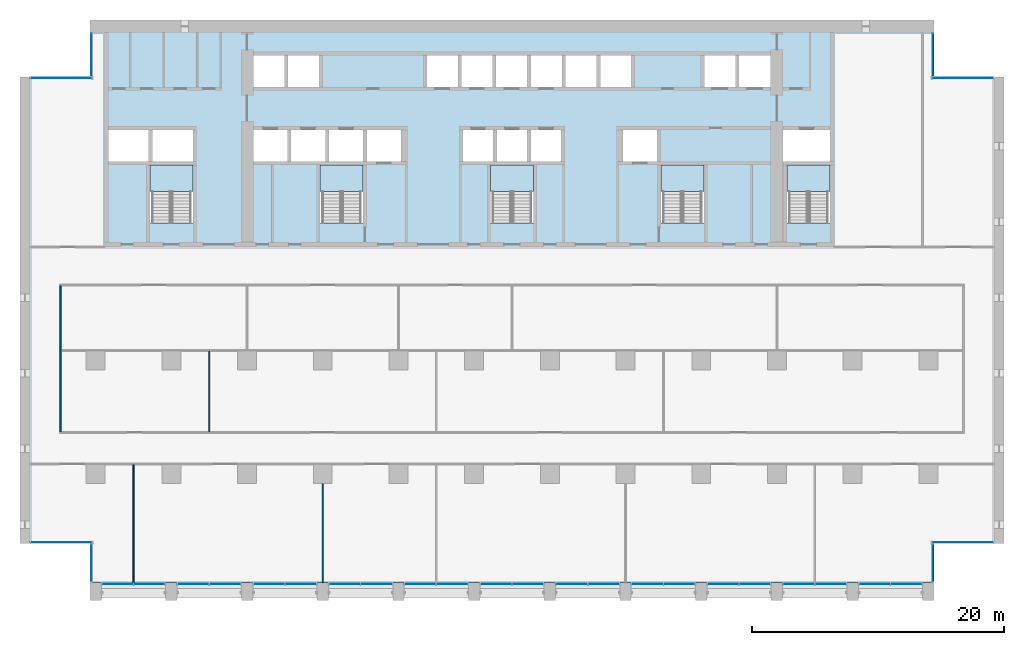
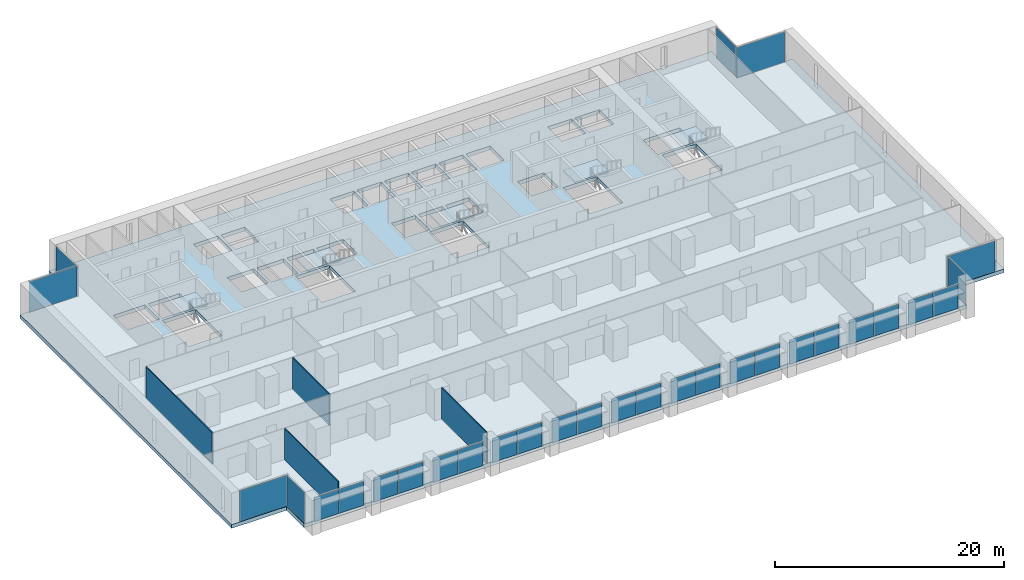
# One storey, part 7 of 18: 30 plates, 6 slabs, 4 walls, 24 elements without a shape of their own.
"""IFC4 building model written with IfcOpenShell, lengths in metres."""

import ifcopenshell
import ifcopenshell.guid

model = None  # the IFC model being written
_history = None  # IfcOwnerHistory: only IFC2X3 demands one
_inside = {}  # id of a spatial element -> (the spatial element, [elements in it])
_under = {}  # id of a project, library or spatial element -> (it, [spatial elements below it])
_declared = {}  # id of a project -> (the project, [libraries it declares])
_typed = {}  # id of a type object -> (the type object, [elements of that type])
_made_of = {}  # id of a material, layer set ... -> (it, [elements and type objects made of it])


def new_model(schema):
    """Start an empty IFC model of exactly this schema.

    Asked for "IFC4X3", IfcOpenShell would pick the latest addendum, in which some entities
    have other attributes; the version numbers below select the first issue.
    IFC2X3 requires an IfcOwnerHistory on every rooted entity: one is made here for all.
    """
    global model, _history
    if schema == "IFC4X3":
        model = ifcopenshell.file(schema_version=(4, 3, 0, 0))
    else:
        model = ifcopenshell.file(schema=schema)
    _inside.clear()
    _under.clear()
    _declared.clear()
    _typed.clear()
    _made_of.clear()
    _history = None
    if model.schema == "IFC2X3":
        org = make("IfcOrganization", Name="unknown")
        user = make(
            "IfcPersonAndOrganization",
            ThePerson=make("IfcPerson", FamilyName="unknown"),
            TheOrganization=org,
        )
        app = make(
            "IfcApplication",
            ApplicationDeveloper=org,
            Version="unknown",
            ApplicationFullName="unknown",
            ApplicationIdentifier="unknown",
        )
        _history = make(
            "IfcOwnerHistory",
            OwningUser=user,
            OwningApplication=app,
            ChangeAction="ADDED",
            CreationDate=0,
        )
    return model


def make(cls, **values):
    """One entity of the class cls with the attributes given. An attribute that is None is left unset."""
    return model.create_entity(
        cls, **{name: value for name, value in values.items() if value is not None}
    )


def rooted(cls, **values):
    """An entity with a GlobalId (a new one), such as an element, a storey or a relation."""
    return make(cls, GlobalId=ifcopenshell.guid.new(), OwnerHistory=_history, **values)


def si_unit(unit_type, name, prefix=None):
    """IfcSIUnit, for example si_unit("LENGTHUNIT", "METRE", prefix="MILLI")."""
    return make("IfcSIUnit", UnitType=unit_type, Prefix=prefix, Name=name)


def assignment(units):
    """IfcUnitAssignment: the units of a project."""
    return None if units is None else make("IfcUnitAssignment", Units=units)


def point(xyz):
    """IfcCartesianPoint."""
    return None if xyz is None else make("IfcCartesianPoint", Coordinates=xyz)


def direction(xyz):
    """IfcDirection."""
    return None if xyz is None else make("IfcDirection", DirectionRatios=xyz)


def frame(location, z_axis=None, x_axis=None):
    """IfcAxis2Placement3D, a coordinate frame: its origin and axes. An axis left out is left unset."""
    return make(
        "IfcAxis2Placement3D",
        Location=point(location),
        Axis=direction(z_axis),
        RefDirection=direction(x_axis),
    )


def frame_2d(location, x_axis=None):
    """IfcAxis2Placement2D, a coordinate frame in the plane: its origin and x axis."""
    return make(
        "IfcAxis2Placement2D", Location=point(location), RefDirection=direction(x_axis)
    )


def origin():
    """The frame at (0, 0, 0) with its axes left unset."""
    return frame((0.0, 0.0, 0.0))


def origin_2d():
    """The frame at (0, 0) in the plane with its x axis left unset."""
    return frame_2d((0.0, 0.0))


def place(relative_to, where):
    """IfcLocalPlacement: puts the frame where relative to a parent placement (None: the world)."""
    return make(
        "IfcLocalPlacement", PlacementRelTo=relative_to, RelativePlacement=where
    )


def context(
    kind, dimensions, precision=None, world=None, true_north=None, identifier=None
):
    """IfcGeometricRepresentationContext, for example the 3D "Model" context."""
    return make(
        "IfcGeometricRepresentationContext",
        ContextIdentifier=identifier,
        ContextType=kind,
        CoordinateSpaceDimension=dimensions,
        Precision=precision,
        WorldCoordinateSystem=world,
        TrueNorth=true_north,
    )


def subcontext(parent, identifier, kind, view, scale=None):
    """IfcGeometricRepresentationSubContext, for example "Body" below "Model"."""
    return make(
        "IfcGeometricRepresentationSubContext",
        ContextIdentifier=identifier,
        ContextType=kind,
        ParentContext=parent,
        TargetScale=scale,
        TargetView=view,
    )


def project(units=None, contexts=None):
    """IfcProject with its units and contexts."""
    return rooted(
        "IfcProject",
        Name="project",
        RepresentationContexts=contexts,
        UnitsInContext=assignment(units),
    )


def spatial(cls, under=None, at=None, **own):
    """A site, building, storey or space (cls), placed at a placement, below another one or the project."""
    s = rooted(cls, ObjectPlacement=at, **own)
    if under is not None:
        _under.setdefault(under.id(), (under, []))[1].append(s)
    return s


def polyline(points):
    """IfcPolyline through the points."""
    return make("IfcPolyline", Points=[point(p) for p in points])


def profile(cls, at=None, kind="AREA", **sizes):
    """A parametric profile (cls). Its sizes go by their IFC names, for example OverallWidth=200.0."""
    return make(cls, ProfileType=kind, Position=at, **sizes)


def rectangle(**sizes):
    """IfcRectangleProfileDef."""
    return profile("IfcRectangleProfileDef", **sizes)


def outline(outer, holes=None, kind="AREA"):
    """IfcArbitraryClosedProfileDef: a profile drawn as a closed curve; with holes, ...WithVoids."""
    if holes is None:
        return make("IfcArbitraryClosedProfileDef", ProfileType=kind, OuterCurve=outer)
    return make(
        "IfcArbitraryProfileDefWithVoids",
        ProfileType=kind,
        OuterCurve=outer,
        InnerCurves=holes,
    )


def extrude(swept, where, along, depth):
    """IfcExtrudedAreaSolid: the profile swept, set in the frame where, extruded along a direction by depth."""
    return make(
        "IfcExtrudedAreaSolid",
        SweptArea=swept,
        Position=where,
        ExtrudedDirection=direction(along),
        Depth=depth,
    )


def shape(context_of_items, identifier, shape_type, items):
    """IfcShapeRepresentation: the items that make up one representation, for example the "Body"."""
    return make(
        "IfcShapeRepresentation",
        ContextOfItems=context_of_items,
        RepresentationIdentifier=identifier,
        RepresentationType=shape_type,
        Items=items,
    )


def material(Name=None, Category=None):
    """IfcMaterial."""
    return make("IfcMaterial", Name=Name, Category=Category)


def layer(
    of_material, thickness, ventilated=None, Name=None, Category=None, Priority=None
):
    """IfcMaterialLayer: one layer of a wall or slab, of a material (None: an air gap)."""
    return make(
        "IfcMaterialLayer",
        Material=of_material,
        LayerThickness=thickness,
        IsVentilated=ventilated,
        Name=Name,
        Category=Category,
        Priority=Priority,
    )


def layer_set(layers, Name=None):
    """IfcMaterialLayerSet."""
    return make("IfcMaterialLayerSet", MaterialLayers=layers, LayerSetName=Name)


def made_of(thing, what):
    """Note that an element or type object is made of a material, layer set ...; save() writes the relation."""
    if what is not None:
        _made_of.setdefault(what.id(), (what, []))[1].append(thing)
    return thing


def type_object(cls, material=None, **own):
    """A type object (cls), such as IfcWallType, which elements share."""
    return made_of(rooted(cls, **own), material)


def element(
    cls,
    number,
    at=None,
    inside=None,
    cuts=None,
    type_object=None,
    material=None,
    context=None,
    identifier="Body",
    shape_type=None,
    held_by="IfcProductDefinitionShape",
    body=None,
    shapes=None,
    **own,
):
    """One element of the class cls, such as IfcWall. Its Tag is "e" and its number.

    at: its placement. inside: the storey or other place that contains it. cuts: it is an
    opening in that element (IfcRelVoidsElement). A single representation is given by context,
    identifier, shape_type and body (its items); several are given by shapes. held_by: the class
    of the entity that holds the representations. save() writes the other relations.
    """
    e = rooted(cls, Tag="e%d" % number, ObjectPlacement=at, **own)
    if body is not None:
        shapes = [shape(context, identifier, shape_type, body)]
    if shapes is not None:
        e.Representation = make(held_by, Representations=shapes)
    if inside is not None:
        _inside.setdefault(inside.id(), (inside, []))[1].append(e)
    if cuts is not None:
        rooted(
            "IfcRelVoidsElement", RelatingBuildingElement=cuts, RelatedOpeningElement=e
        )
    if type_object is not None:
        _typed.setdefault(type_object.id(), (type_object, []))[1].append(e)
    return made_of(e, material)


def aggregate(whole, parts):
    """IfcRelAggregates: a whole, such as a stair, and the parts it consists of."""
    return rooted("IfcRelAggregates", RelatingObject=whole, RelatedObjects=parts)


def save(model, path):
    """Write the relations noted so far, then the file.

    IfcRelAggregates (storeys below a building ...), IfcRelContainedInSpatialStructure (elements
    in a storey), IfcRelDefinesByType, IfcRelAssociatesMaterial and IfcRelDeclares: one each for
    every whole, place, type object, material and project.
    """
    for whole, parts in _under.values():
        aggregate(whole, parts)
    for where, things in _inside.values():
        rooted(
            "IfcRelContainedInSpatialStructure",
            RelatedElements=things,
            RelatingStructure=where,
        )
    for kind, things in _typed.values():
        rooted("IfcRelDefinesByType", RelatedObjects=things, RelatingType=kind)
    for what, things in _made_of.values():
        rooted("IfcRelAssociatesMaterial", RelatedObjects=things, RelatingMaterial=what)
    for by, libraries in _declared.values():
        rooted("IfcRelDeclares", RelatingContext=by, RelatedDefinitions=libraries)
    model.write(path)


model = new_model("IFC4")

# Units and contexts
model_context = context("Model", 3, precision=1e-05, world=origin(), true_north=direction((0.0, 1.0)))
body_context = subcontext(model_context, "Body", "Model", "MODEL_VIEW")
ifc_project = project(units=[si_unit("LENGTHUNIT", "METRE"), si_unit("AREAUNIT", "SQUARE_METRE"), si_unit("VOLUMEUNIT", "CUBIC_METRE"), si_unit("PLANEANGLEUNIT", "RADIAN"), si_unit("MASSUNIT", "GRAM", prefix="KILO")], contexts=[model_context])

# Site, building, storey
site_placement = place(None, origin())
site = spatial("IfcSite", under=ifc_project, at=site_placement, CompositionType="ELEMENT")
building_placement = place(site_placement, origin())
building = spatial("IfcBuilding", under=site, at=building_placement, Name="Calvaro Tower", CompositionType="ELEMENT")
storey_placement = place(building_placement, frame((0.0, 0.0, 78.75)))
storey = spatial("IfcBuildingStorey", under=building, at=storey_placement, Name="L19", CompositionType="ELEMENT", Elevation=78.75)

# Slab
ifc_material_1 = material(Name="Concrete C40/50", Category="concrete")
ifc_layer_1 = layer(ifc_material_1, 0.39990234375)
ifc_layer_set_1 = layer_set([ifc_layer_1], Name="Concrete C40/50")
slab_type_1 = type_object("IfcSlabType", Name="Floor slab 400 C40/50", PredefinedType="FLOOR", material=ifc_layer_set_1)
slab_1_placement = place(storey_placement, frame((0.0, 0.0, -0.39990234375)))
element("IfcSlab", 1, at=slab_1_placement, inside=storey, type_object=slab_type_1, Name="Floor slab", PredefinedType="FLOOR", context=body_context, shape_type="SweptSolid", body=[
    extrude(outline(polyline([(72.449951171875, 4.5), (72.449951171875, 1.39990234375), (5.550048828125, 1.39990234375), (5.550048828125, 4.5), (0.0, 4.5), (0.0, 41.5), (5.550048828125, 41.5), (5.550048828125, 46.0), (72.449951171875, 46.0), (72.449951171875, 41.5), (78.0, 41.5), (78.0, 4.5), (72.449951171875, 4.5)]), holes=[polyline([(10.300048828125, 29.909912109375), (10.300048828125, 34.5), (12.0, 34.5), (13.699951171875, 34.5), (13.699951171875, 29.909912109375), (12.0, 29.909912109375), (10.300048828125, 29.909912109375)]), polyline([(23.800048828125, 29.909912109375), (23.800048828125, 34.5), (25.5, 34.5), (27.199951171875, 34.5), (27.199951171875, 29.909912109375), (25.5, 29.909912109375), (23.800048828125, 29.909912109375)]), polyline([(37.300048828125, 29.909912109375), (37.300048828125, 34.5), (39.0, 34.5), (40.699951171875, 34.5), (40.699951171875, 29.909912109375), (39.0, 29.909912109375), (37.300048828125, 29.909912109375)]), polyline([(50.800048828125, 29.909912109375), (50.800048828125, 34.5), (52.5, 34.5), (54.199951171875, 34.5), (54.199951171875, 29.909912109375), (52.5, 29.909912109375), (50.800048828125, 29.909912109375)]), polyline([(60.800048828125, 29.909912109375), (60.800048828125, 34.5), (62.5, 34.5), (64.199951171875, 34.5), (64.199951171875, 29.909912109375), (62.5, 29.909912109375), (60.800048828125, 29.909912109375)]), polyline([(18.5, 34.800048828125), (21.199951171875, 34.800048828125), (21.199951171875, 37.300048828125), (18.5, 37.300048828125), (18.5, 34.800048828125)]), polyline([(21.5, 34.800048828125), (24.199951171875, 34.800048828125), (24.199951171875, 37.300048828125), (21.5, 37.300048828125), (21.5, 34.800048828125)]), polyline([(24.5, 34.800048828125), (27.199951171875, 34.800048828125), (27.199951171875, 37.300048828125), (24.5, 37.300048828125), (24.5, 34.800048828125)]), polyline([(35.10009765625, 34.800048828125), (37.5, 34.800048828125), (37.5, 37.300048828125), (35.10009765625, 37.300048828125), (35.10009765625, 34.800048828125)]), polyline([(37.800048828125, 34.800048828125), (40.199951171875, 34.800048828125), (40.199951171875, 37.300048828125), (37.800048828125, 37.300048828125), (37.800048828125, 34.800048828125)]), polyline([(40.5, 34.800048828125), (42.89990234375, 34.800048828125), (42.89990234375, 37.300048828125), (40.5, 37.300048828125), (40.5, 34.800048828125)]), polyline([(18.5, 40.699951171875), (20.949951171875, 40.699951171875), (20.949951171875, 43.199951171875), (18.5, 43.199951171875), (18.5, 40.699951171875)]), polyline([(21.25, 40.699951171875), (23.699951171875, 40.699951171875), (23.699951171875, 43.199951171875), (21.25, 43.199951171875), (21.25, 40.699951171875)]), polyline([(32.25, 40.699951171875), (34.699951171875, 40.699951171875), (34.699951171875, 43.199951171875), (32.25, 43.199951171875), (32.25, 40.699951171875)]), polyline([(35.0, 40.699951171875), (37.449951171875, 40.699951171875), (37.449951171875, 43.199951171875), (35.0, 43.199951171875), (35.0, 40.699951171875)]), polyline([(37.75, 40.699951171875), (40.199951171875, 40.699951171875), (40.199951171875, 43.199951171875), (37.75, 43.199951171875), (37.75, 40.699951171875)]), polyline([(40.5, 40.699951171875), (42.949951171875, 40.699951171875), (42.949951171875, 43.199951171875), (40.5, 43.199951171875), (40.5, 40.699951171875)]), polyline([(43.25, 40.699951171875), (45.699951171875, 40.699951171875), (45.699951171875, 43.199951171875), (43.25, 43.199951171875), (43.25, 40.699951171875)]), polyline([(46.0, 40.699951171875), (48.449951171875, 40.699951171875), (48.449951171875, 43.199951171875), (46.0, 43.199951171875), (46.0, 40.699951171875)]), polyline([(54.25, 40.699951171875), (56.699951171875, 40.699951171875), (56.699951171875, 43.199951171875), (54.25, 43.199951171875), (54.25, 40.699951171875)]), polyline([(57.0, 40.699951171875), (59.5, 40.699951171875), (59.5, 43.199951171875), (57.0, 43.199951171875), (57.0, 40.699951171875)]), polyline([(7.0, 34.800048828125), (10.199951171875, 34.800048828125), (10.199951171875, 37.300048828125), (7.0, 37.300048828125), (7.0, 34.800048828125)]), polyline([(10.5, 34.800048828125), (13.699951171875, 34.800048828125), (13.699951171875, 37.300048828125), (10.5, 37.300048828125), (10.5, 34.800048828125)]), polyline([(60.5, 34.800048828125), (64.199951171875, 34.800048828125), (64.199951171875, 37.300048828125), (60.5, 37.300048828125), (60.5, 34.800048828125)]), polyline([(27.5, 34.800048828125), (30.199951171875, 34.800048828125), (30.199951171875, 37.300048828125), (27.5, 37.300048828125), (27.5, 34.800048828125)]), polyline([(47.800048828125, 34.800048828125), (50.5, 34.800048828125), (50.5, 37.300048828125), (47.800048828125, 37.300048828125), (47.800048828125, 34.800048828125)])]), origin(), (0.0, 0.0, 1.0), 0.39990234375),
])

# Curtain wall, plates
ifc_material_2 = material(Name="Anodised aluminium", Category="aluminium")
curtain_wall_type = type_object("IfcCurtainWallType", Name="Office curtain wall, lower zone", PredefinedType="NOTDEFINED", material=ifc_material_2)
curtain_wall_1_placement = place(storey_placement, origin())
curtain_wall_1 = element("IfcCurtainWall", 2, at=curtain_wall_1_placement, inside=storey, type_object=curtain_wall_type, Name="CW1 south curtain wall", PredefinedType="NOTDEFINED")
ifc_material_3 = material(Name="Glass", Category="glass")
ifc_layer_2 = layer(ifc_material_3, 0.028076171875)
ifc_layer_set_2 = layer_set([ifc_layer_2], Name="Glass")
plate_type = type_object("IfcPlateType", Name="Glass panel S1 28", PredefinedType="CURTAIN_PANEL", material=ifc_layer_set_2)
plate_1_placement = place(storey_placement, frame((7.739990234375, 1.300048828125, 0.0), z_axis=(0.0, 0.0, 1.0), x_axis=(1.0, 0.0, 0.0)))
plate_1 = element("IfcPlate", 3, at=plate_1_placement, type_object=plate_type, Name="CW1 glass panel 1.1", PredefinedType="CURTAIN_PANEL", context=body_context, shape_type="SweptSolid", body=[
    extrude(rectangle(XDim=2.4599609375, YDim=0.028076171875, at=origin_2d()), origin(), (0.0, 0.0, 1.0), 2.550048828125),
])
plate_2_placement = place(storey_placement, frame((10.260009765625, 1.300048828125, 0.0), z_axis=(0.0, 0.0, 1.0), x_axis=(1.0, 0.0, 0.0)))
plate_2 = element("IfcPlate", 4, at=plate_2_placement, type_object=plate_type, Name="CW1 glass panel 2.1", PredefinedType="CURTAIN_PANEL", context=body_context, shape_type="SweptSolid", body=[
    extrude(rectangle(XDim=2.4599609375, YDim=0.028076171875, at=origin_2d()), origin(), (0.0, 0.0, 1.0), 2.550048828125),
])
aggregate(curtain_wall_1, [plate_1, plate_2])

curtain_wall_2_placement = place(storey_placement, origin())
curtain_wall_2 = element("IfcCurtainWall", 5, at=curtain_wall_2_placement, inside=storey, type_object=curtain_wall_type, Name="CW1 south curtain wall", PredefinedType="NOTDEFINED")
plate_3_placement = place(storey_placement, frame((13.739990234375, 1.300048828125, 0.0), z_axis=(0.0, 0.0, 1.0), x_axis=(1.0, 0.0, 0.0)))
plate_3 = element("IfcPlate", 6, at=plate_3_placement, type_object=plate_type, Name="CW1 glass panel 1.1", PredefinedType="CURTAIN_PANEL", context=body_context, shape_type="SweptSolid", body=[
    extrude(rectangle(XDim=2.4599609375, YDim=0.028076171875, at=origin_2d()), origin(), (0.0, 0.0, 1.0), 2.550048828125),
])
plate_4_placement = place(storey_placement, frame((16.260009765625, 1.300048828125, 0.0), z_axis=(0.0, 0.0, 1.0), x_axis=(1.0, 0.0, 0.0)))
plate_4 = element("IfcPlate", 7, at=plate_4_placement, type_object=plate_type, Name="CW1 glass panel 2.1", PredefinedType="CURTAIN_PANEL", context=body_context, shape_type="SweptSolid", body=[
    extrude(rectangle(XDim=2.4599609375, YDim=0.028076171875, at=origin_2d()), origin(), (0.0, 0.0, 1.0), 2.550048828125),
])
aggregate(curtain_wall_2, [plate_3, plate_4])

curtain_wall_3_placement = place(storey_placement, origin())
curtain_wall_3 = element("IfcCurtainWall", 8, at=curtain_wall_3_placement, inside=storey, type_object=curtain_wall_type, Name="CW1 south curtain wall", PredefinedType="NOTDEFINED")
plate_5_placement = place(storey_placement, frame((19.739990234375, 1.300048828125, 0.0), z_axis=(0.0, 0.0, 1.0), x_axis=(1.0, 0.0, 0.0)))
plate_5 = element("IfcPlate", 9, at=plate_5_placement, type_object=plate_type, Name="CW1 glass panel 1.1", PredefinedType="CURTAIN_PANEL", context=body_context, shape_type="SweptSolid", body=[
    extrude(rectangle(XDim=2.4599609375, YDim=0.028076171875, at=origin_2d()), origin(), (0.0, 0.0, 1.0), 2.550048828125),
])
plate_6_placement = place(storey_placement, frame((22.260009765625, 1.300048828125, 0.0), z_axis=(0.0, 0.0, 1.0), x_axis=(1.0, 0.0, 0.0)))
plate_6 = element("IfcPlate", 10, at=plate_6_placement, type_object=plate_type, Name="CW1 glass panel 2.1", PredefinedType="CURTAIN_PANEL", context=body_context, shape_type="SweptSolid", body=[
    extrude(rectangle(XDim=2.4599609375, YDim=0.028076171875, at=origin_2d()), origin(), (0.0, 0.0, 1.0), 2.550048828125),
])
aggregate(curtain_wall_3, [plate_5, plate_6])

curtain_wall_4_placement = place(storey_placement, origin())
curtain_wall_4 = element("IfcCurtainWall", 11, at=curtain_wall_4_placement, inside=storey, type_object=curtain_wall_type, Name="CW1 south curtain wall", PredefinedType="NOTDEFINED")
plate_7_placement = place(storey_placement, frame((25.739990234375, 1.300048828125, 0.0), z_axis=(0.0, 0.0, 1.0), x_axis=(1.0, 0.0, 0.0)))
plate_7 = element("IfcPlate", 12, at=plate_7_placement, type_object=plate_type, Name="CW1 glass panel 1.1", PredefinedType="CURTAIN_PANEL", context=body_context, shape_type="SweptSolid", body=[
    extrude(rectangle(XDim=2.4599609375, YDim=0.028076171875, at=origin_2d()), origin(), (0.0, 0.0, 1.0), 2.550048828125),
])
plate_8_placement = place(storey_placement, frame((28.260009765625, 1.300048828125, 0.0), z_axis=(0.0, 0.0, 1.0), x_axis=(1.0, 0.0, 0.0)))
plate_8 = element("IfcPlate", 13, at=plate_8_placement, type_object=plate_type, Name="CW1 glass panel 2.1", PredefinedType="CURTAIN_PANEL", context=body_context, shape_type="SweptSolid", body=[
    extrude(rectangle(XDim=2.4599609375, YDim=0.028076171875, at=origin_2d()), origin(), (0.0, 0.0, 1.0), 2.550048828125),
])
aggregate(curtain_wall_4, [plate_7, plate_8])

curtain_wall_5_placement = place(storey_placement, origin())
curtain_wall_5 = element("IfcCurtainWall", 14, at=curtain_wall_5_placement, inside=storey, type_object=curtain_wall_type, Name="CW1 south curtain wall", PredefinedType="NOTDEFINED")
plate_9_placement = place(storey_placement, frame((31.739990234375, 1.300048828125, 0.0), z_axis=(0.0, 0.0, 1.0), x_axis=(1.0, 0.0, 0.0)))
plate_9 = element("IfcPlate", 15, at=plate_9_placement, type_object=plate_type, Name="CW1 glass panel 1.1", PredefinedType="CURTAIN_PANEL", context=body_context, shape_type="SweptSolid", body=[
    extrude(rectangle(XDim=2.4599609375, YDim=0.028076171875, at=origin_2d()), origin(), (0.0, 0.0, 1.0), 2.550048828125),
])
plate_10_placement = place(storey_placement, frame((34.260009765625, 1.300048828125, 0.0), z_axis=(0.0, 0.0, 1.0), x_axis=(1.0, 0.0, 0.0)))
plate_10 = element("IfcPlate", 16, at=plate_10_placement, type_object=plate_type, Name="CW1 glass panel 2.1", PredefinedType="CURTAIN_PANEL", context=body_context, shape_type="SweptSolid", body=[
    extrude(rectangle(XDim=2.4599609375, YDim=0.028076171875, at=origin_2d()), origin(), (0.0, 0.0, 1.0), 2.550048828125),
])
aggregate(curtain_wall_5, [plate_9, plate_10])

curtain_wall_6_placement = place(storey_placement, origin())
curtain_wall_6 = element("IfcCurtainWall", 17, at=curtain_wall_6_placement, inside=storey, type_object=curtain_wall_type, Name="CW1 south curtain wall", PredefinedType="NOTDEFINED")
plate_11_placement = place(storey_placement, frame((37.739990234375, 1.300048828125, 0.0), z_axis=(0.0, 0.0, 1.0), x_axis=(1.0, 0.0, 0.0)))
plate_11 = element("IfcPlate", 18, at=plate_11_placement, type_object=plate_type, Name="CW1 glass panel 1.1", PredefinedType="CURTAIN_PANEL", context=body_context, shape_type="SweptSolid", body=[
    extrude(rectangle(XDim=2.4599609375, YDim=0.028076171875, at=origin_2d()), origin(), (0.0, 0.0, 1.0), 2.550048828125),
])
plate_12_placement = place(storey_placement, frame((40.260009765625, 1.300048828125, 0.0), z_axis=(0.0, 0.0, 1.0), x_axis=(1.0, 0.0, 0.0)))
plate_12 = element("IfcPlate", 19, at=plate_12_placement, type_object=plate_type, Name="CW1 glass panel 2.1", PredefinedType="CURTAIN_PANEL", context=body_context, shape_type="SweptSolid", body=[
    extrude(rectangle(XDim=2.4599609375, YDim=0.028076171875, at=origin_2d()), origin(), (0.0, 0.0, 1.0), 2.550048828125),
])
aggregate(curtain_wall_6, [plate_11, plate_12])

curtain_wall_7_placement = place(storey_placement, origin())
curtain_wall_7 = element("IfcCurtainWall", 20, at=curtain_wall_7_placement, inside=storey, type_object=curtain_wall_type, Name="CW1 south curtain wall", PredefinedType="NOTDEFINED")
plate_13_placement = place(storey_placement, frame((43.739990234375, 1.300048828125, 0.0), z_axis=(0.0, 0.0, 1.0), x_axis=(1.0, 0.0, 0.0)))
plate_13 = element("IfcPlate", 21, at=plate_13_placement, type_object=plate_type, Name="CW1 glass panel 1.1", PredefinedType="CURTAIN_PANEL", context=body_context, shape_type="SweptSolid", body=[
    extrude(rectangle(XDim=2.4599609375, YDim=0.028076171875, at=origin_2d()), origin(), (0.0, 0.0, 1.0), 2.550048828125),
])
plate_14_placement = place(storey_placement, frame((46.260009765625, 1.300048828125, 0.0), z_axis=(0.0, 0.0, 1.0), x_axis=(1.0, 0.0, 0.0)))
plate_14 = element("IfcPlate", 22, at=plate_14_placement, type_object=plate_type, Name="CW1 glass panel 2.1", PredefinedType="CURTAIN_PANEL", context=body_context, shape_type="SweptSolid", body=[
    extrude(rectangle(XDim=2.4599609375, YDim=0.028076171875, at=origin_2d()), origin(), (0.0, 0.0, 1.0), 2.550048828125),
])
aggregate(curtain_wall_7, [plate_13, plate_14])

curtain_wall_8_placement = place(storey_placement, origin())
curtain_wall_8 = element("IfcCurtainWall", 23, at=curtain_wall_8_placement, inside=storey, type_object=curtain_wall_type, Name="CW1 south curtain wall", PredefinedType="NOTDEFINED")
plate_15_placement = place(storey_placement, frame((49.739990234375, 1.300048828125, 0.0), z_axis=(0.0, 0.0, 1.0), x_axis=(1.0, 0.0, 0.0)))
plate_15 = element("IfcPlate", 24, at=plate_15_placement, type_object=plate_type, Name="CW1 glass panel 1.1", PredefinedType="CURTAIN_PANEL", context=body_context, shape_type="SweptSolid", body=[
    extrude(rectangle(XDim=2.4599609375, YDim=0.028076171875, at=origin_2d()), origin(), (0.0, 0.0, 1.0), 2.550048828125),
])
plate_16_placement = place(storey_placement, frame((52.260009765625, 1.300048828125, 0.0), z_axis=(0.0, 0.0, 1.0), x_axis=(1.0, 0.0, 0.0)))
plate_16 = element("IfcPlate", 25, at=plate_16_placement, type_object=plate_type, Name="CW1 glass panel 2.1", PredefinedType="CURTAIN_PANEL", context=body_context, shape_type="SweptSolid", body=[
    extrude(rectangle(XDim=2.4599609375, YDim=0.028076171875, at=origin_2d()), origin(), (0.0, 0.0, 1.0), 2.550048828125),
])
aggregate(curtain_wall_8, [plate_15, plate_16])

curtain_wall_9_placement = place(storey_placement, origin())
curtain_wall_9 = element("IfcCurtainWall", 26, at=curtain_wall_9_placement, inside=storey, type_object=curtain_wall_type, Name="CW1 south curtain wall", PredefinedType="NOTDEFINED")
plate_17_placement = place(storey_placement, frame((55.739990234375, 1.300048828125, 0.0), z_axis=(0.0, 0.0, 1.0), x_axis=(1.0, 0.0, 0.0)))
plate_17 = element("IfcPlate", 27, at=plate_17_placement, type_object=plate_type, Name="CW1 glass panel 1.1", PredefinedType="CURTAIN_PANEL", context=body_context, shape_type="SweptSolid", body=[
    extrude(rectangle(XDim=2.4599609375, YDim=0.028076171875, at=origin_2d()), origin(), (0.0, 0.0, 1.0), 2.550048828125),
])
plate_18_placement = place(storey_placement, frame((58.260009765625, 1.300048828125, 0.0), z_axis=(0.0, 0.0, 1.0), x_axis=(1.0, 0.0, 0.0)))
plate_18 = element("IfcPlate", 28, at=plate_18_placement, type_object=plate_type, Name="CW1 glass panel 2.1", PredefinedType="CURTAIN_PANEL", context=body_context, shape_type="SweptSolid", body=[
    extrude(rectangle(XDim=2.4599609375, YDim=0.028076171875, at=origin_2d()), origin(), (0.0, 0.0, 1.0), 2.550048828125),
])
aggregate(curtain_wall_9, [plate_17, plate_18])

curtain_wall_10_placement = place(storey_placement, origin())
curtain_wall_10 = element("IfcCurtainWall", 29, at=curtain_wall_10_placement, inside=storey, type_object=curtain_wall_type, Name="CW1 south curtain wall", PredefinedType="NOTDEFINED")
plate_19_placement = place(storey_placement, frame((61.739990234375, 1.300048828125, 0.0), z_axis=(0.0, 0.0, 1.0), x_axis=(1.0, 0.0, 0.0)))
plate_19 = element("IfcPlate", 30, at=plate_19_placement, type_object=plate_type, Name="CW1 glass panel 1.1", PredefinedType="CURTAIN_PANEL", context=body_context, shape_type="SweptSolid", body=[
    extrude(rectangle(XDim=2.4599609375, YDim=0.028076171875, at=origin_2d()), origin(), (0.0, 0.0, 1.0), 2.550048828125),
])
plate_20_placement = place(storey_placement, frame((64.260009765625, 1.300048828125, 0.0), z_axis=(0.0, 0.0, 1.0), x_axis=(1.0, 0.0, 0.0)))
plate_20 = element("IfcPlate", 31, at=plate_20_placement, type_object=plate_type, Name="CW1 glass panel 2.1", PredefinedType="CURTAIN_PANEL", context=body_context, shape_type="SweptSolid", body=[
    extrude(rectangle(XDim=2.4599609375, YDim=0.028076171875, at=origin_2d()), origin(), (0.0, 0.0, 1.0), 2.550048828125),
])
aggregate(curtain_wall_10, [plate_19, plate_20])

curtain_wall_11_placement = place(storey_placement, origin())
curtain_wall_11 = element("IfcCurtainWall", 32, at=curtain_wall_11_placement, inside=storey, type_object=curtain_wall_type, Name="CW1 south curtain wall", PredefinedType="NOTDEFINED")
plate_21_placement = place(storey_placement, frame((67.739990234375, 1.300048828125, 0.0), z_axis=(0.0, 0.0, 1.0), x_axis=(1.0, 0.0, 0.0)))
plate_21 = element("IfcPlate", 33, at=plate_21_placement, type_object=plate_type, Name="CW1 glass panel 1.1", PredefinedType="CURTAIN_PANEL", context=body_context, shape_type="SweptSolid", body=[
    extrude(rectangle(XDim=2.4599609375, YDim=0.028076171875, at=origin_2d()), origin(), (0.0, 0.0, 1.0), 2.550048828125),
])
plate_22_placement = place(storey_placement, frame((70.260009765625, 1.300048828125, 0.0), z_axis=(0.0, 0.0, 1.0), x_axis=(1.0, 0.0, 0.0)))
plate_22 = element("IfcPlate", 34, at=plate_22_placement, type_object=plate_type, Name="CW1 glass panel 2.1", PredefinedType="CURTAIN_PANEL", context=body_context, shape_type="SweptSolid", body=[
    extrude(rectangle(XDim=2.4599609375, YDim=0.028076171875, at=origin_2d()), origin(), (0.0, 0.0, 1.0), 2.550048828125),
])
aggregate(curtain_wall_11, [plate_21, plate_22])

# Curtain wall, plate
curtain_wall_12_placement = place(storey_placement, origin())
curtain_wall_12 = element("IfcCurtainWall", 35, at=curtain_wall_12_placement, inside=storey, type_object=curtain_wall_type, Name="CW1 corner curtain wall", PredefinedType="NOTDEFINED")
plate_23_placement = place(storey_placement, frame((5.64990234375, 2.949951171875, 0.0), z_axis=(0.0, 0.0, 1.0), x_axis=(0.0, 1.0, 0.0)))
plate_23 = element("IfcPlate", 36, at=plate_23_placement, type_object=plate_type, Name="CW1 glass panel 1.1", PredefinedType="CURTAIN_PANEL", context=body_context, shape_type="SweptSolid", body=[
    extrude(rectangle(XDim=2.97998046875, YDim=0.028076171875, at=origin_2d()), origin(), (0.0, 0.0, 1.0), 3.25),
])
aggregate(curtain_wall_12, [plate_23])

curtain_wall_13_placement = place(storey_placement, origin())
curtain_wall_13 = element("IfcCurtainWall", 37, at=curtain_wall_13_placement, inside=storey, type_object=curtain_wall_type, Name="CW1 corner curtain wall", PredefinedType="NOTDEFINED")
plate_24_placement = place(storey_placement, frame((3.27490234375, 4.60009765625, 0.0), z_axis=(0.0, 0.0, 1.0), x_axis=(1.0, 0.0, 0.0)))
plate_24 = element("IfcPlate", 38, at=plate_24_placement, type_object=plate_type, Name="CW1 glass panel 1.1", PredefinedType="CURTAIN_PANEL", context=body_context, shape_type="SweptSolid", body=[
    extrude(rectangle(XDim=4.830078125, YDim=0.028076171875, at=origin_2d()), origin(), (0.0, 0.0, 1.0), 3.25),
])
aggregate(curtain_wall_13, [plate_24])

curtain_wall_14_placement = place(storey_placement, origin())
curtain_wall_14 = element("IfcCurtainWall", 39, at=curtain_wall_14_placement, inside=storey, type_object=curtain_wall_type, Name="CW1 corner curtain wall", PredefinedType="NOTDEFINED")
plate_25_placement = place(storey_placement, frame((5.64990234375, 43.25, 0.0), z_axis=(0.0, 0.0, 1.0), x_axis=(0.0, 1.0, 0.0)))
plate_25 = element("IfcPlate", 40, at=plate_25_placement, type_object=plate_type, Name="CW1 glass panel 1.1", PredefinedType="CURTAIN_PANEL", context=body_context, shape_type="SweptSolid", body=[
    extrude(rectangle(XDim=3.3798828125, YDim=0.028076171875, at=origin_2d()), origin(), (0.0, 0.0, 1.0), 3.25),
])
aggregate(curtain_wall_14, [plate_25])

curtain_wall_15_placement = place(storey_placement, origin())
curtain_wall_15 = element("IfcCurtainWall", 41, at=curtain_wall_15_placement, inside=storey, type_object=curtain_wall_type, Name="CW1 corner curtain wall", PredefinedType="NOTDEFINED")
plate_26_placement = place(storey_placement, frame((3.27490234375, 41.39990234375, 0.0), z_axis=(0.0, 0.0, 1.0), x_axis=(1.0, 0.0, 0.0)))
plate_26 = element("IfcPlate", 42, at=plate_26_placement, type_object=plate_type, Name="CW1 glass panel 1.1", PredefinedType="CURTAIN_PANEL", context=body_context, shape_type="SweptSolid", body=[
    extrude(rectangle(XDim=4.830078125, YDim=0.028076171875, at=origin_2d()), origin(), (0.0, 0.0, 1.0), 3.25),
])
aggregate(curtain_wall_15, [plate_26])

curtain_wall_16_placement = place(storey_placement, origin())
curtain_wall_16 = element("IfcCurtainWall", 43, at=curtain_wall_16_placement, inside=storey, type_object=curtain_wall_type, Name="CW1 corner curtain wall", PredefinedType="NOTDEFINED")
plate_27_placement = place(storey_placement, frame((72.35009765625, 2.949951171875, 0.0), z_axis=(0.0, 0.0, 1.0), x_axis=(0.0, 1.0, 0.0)))
plate_27 = element("IfcPlate", 44, at=plate_27_placement, type_object=plate_type, Name="CW1 glass panel 1.1", PredefinedType="CURTAIN_PANEL", context=body_context, shape_type="SweptSolid", body=[
    extrude(rectangle(XDim=2.97998046875, YDim=0.028076171875, at=origin_2d()), origin(), (0.0, 0.0, 1.0), 3.25),
])
aggregate(curtain_wall_16, [plate_27])

curtain_wall_17_placement = place(storey_placement, origin())
curtain_wall_17 = element("IfcCurtainWall", 45, at=curtain_wall_17_placement, inside=storey, type_object=curtain_wall_type, Name="CW1 corner curtain wall", PredefinedType="NOTDEFINED")
plate_28_placement = place(storey_placement, frame((74.72509765625, 4.60009765625, 0.0), z_axis=(0.0, 0.0, 1.0), x_axis=(1.0, 0.0, 0.0)))
plate_28 = element("IfcPlate", 46, at=plate_28_placement, type_object=plate_type, Name="CW1 glass panel 1.1", PredefinedType="CURTAIN_PANEL", context=body_context, shape_type="SweptSolid", body=[
    extrude(rectangle(XDim=4.830078125, YDim=0.028076171875, at=origin_2d()), origin(), (0.0, 0.0, 1.0), 3.25),
])
aggregate(curtain_wall_17, [plate_28])

curtain_wall_18_placement = place(storey_placement, origin())
curtain_wall_18 = element("IfcCurtainWall", 47, at=curtain_wall_18_placement, inside=storey, type_object=curtain_wall_type, Name="CW1 corner curtain wall", PredefinedType="NOTDEFINED")
plate_29_placement = place(storey_placement, frame((72.35009765625, 43.25, 0.0), z_axis=(0.0, 0.0, 1.0), x_axis=(0.0, 1.0, 0.0)))
plate_29 = element("IfcPlate", 48, at=plate_29_placement, type_object=plate_type, Name="CW1 glass panel 1.1", PredefinedType="CURTAIN_PANEL", context=body_context, shape_type="SweptSolid", body=[
    extrude(rectangle(XDim=3.3798828125, YDim=0.028076171875, at=origin_2d()), origin(), (0.0, 0.0, 1.0), 3.25),
])
aggregate(curtain_wall_18, [plate_29])

curtain_wall_19_placement = place(storey_placement, origin())
curtain_wall_19 = element("IfcCurtainWall", 49, at=curtain_wall_19_placement, inside=storey, type_object=curtain_wall_type, Name="CW1 corner curtain wall", PredefinedType="NOTDEFINED")
plate_30_placement = place(storey_placement, frame((74.72509765625, 41.39990234375, 0.0), z_axis=(0.0, 0.0, 1.0), x_axis=(1.0, 0.0, 0.0)))
plate_30 = element("IfcPlate", 50, at=plate_30_placement, type_object=plate_type, Name="CW1 glass panel 1.1", PredefinedType="CURTAIN_PANEL", context=body_context, shape_type="SweptSolid", body=[
    extrude(rectangle(XDim=4.830078125, YDim=0.028076171875, at=origin_2d()), origin(), (0.0, 0.0, 1.0), 3.25),
])
aggregate(curtain_wall_19, [plate_30])

# Stair, slab
ifc_material_4 = material(Name="Concrete C40/50", Category="concrete")
stair_type = type_object("IfcStairType", Name="Exit stair 1400 2 flights", PredefinedType="HALF_TURN_STAIR", material=ifc_material_4)
stair_1_placement = place(storey_placement, origin())
stair_1 = element("IfcStair", 51, at=stair_1_placement, inside=storey, type_object=stair_type, Name="Exit stair S1", PredefinedType="HALF_TURN_STAIR")
ifc_material_5 = material(Name="Concrete C40/50", Category="concrete")
ifc_layer_3 = layer(ifc_material_5, 0.199951171875)
ifc_layer_set_3 = layer_set([ifc_layer_3], Name="Concrete C40/50")
slab_type_2 = type_object("IfcSlabType", Name="Stair landing", PredefinedType="LANDING", material=ifc_layer_set_3)
slab_2_placement = place(storey_placement, frame((0.0, 0.0, 1.675048828125)))
slab_2 = element("IfcSlab", 52, at=slab_2_placement, type_object=slab_type_2, Name="Exit stair 1, landing 1", PredefinedType="LANDING", context=body_context, shape_type="SweptSolid", body=[
    extrude(outline(polyline([(11.89990234375, 32.389892578125), (10.5, 32.389892578125), (10.5, 32.39990234375), (10.300048828125, 32.39990234375), (10.300048828125, 34.5), (10.5, 34.5), (11.89990234375, 34.5), (12.10009765625, 34.5), (13.5, 34.5), (13.699951171875, 34.5), (13.699951171875, 32.39990234375), (13.5, 32.39990234375), (13.5, 32.389892578125), (12.10009765625, 32.389892578125), (12.10009765625, 32.39990234375), (11.89990234375, 32.39990234375), (11.89990234375, 32.389892578125)])), origin(), (0.0, 0.0, 1.0), 0.199951171875),
])
aggregate(stair_1, [slab_2])

stair_2_placement = place(storey_placement, origin())
stair_2 = element("IfcStair", 53, at=stair_2_placement, inside=storey, type_object=stair_type, Name="Exit stair S2", PredefinedType="HALF_TURN_STAIR")
slab_3_placement = place(storey_placement, frame((0.0, 0.0, 1.675048828125)))
slab_3 = element("IfcSlab", 54, at=slab_3_placement, type_object=slab_type_2, Name="Exit stair 2, landing 1", PredefinedType="LANDING", context=body_context, shape_type="SweptSolid", body=[
    extrude(outline(polyline([(25.39990234375, 32.389892578125), (24.0, 32.389892578125), (24.0, 32.39990234375), (23.800048828125, 32.39990234375), (23.800048828125, 34.5), (24.0, 34.5), (25.39990234375, 34.5), (25.60009765625, 34.5), (27.0, 34.5), (27.199951171875, 34.5), (27.199951171875, 32.39990234375), (27.0, 32.39990234375), (27.0, 32.389892578125), (25.60009765625, 32.389892578125), (25.60009765625, 32.39990234375), (25.39990234375, 32.39990234375), (25.39990234375, 32.389892578125)])), origin(), (0.0, 0.0, 1.0), 0.199951171875),
])
aggregate(stair_2, [slab_3])

stair_3_placement = place(storey_placement, origin())
stair_3 = element("IfcStair", 55, at=stair_3_placement, inside=storey, type_object=stair_type, Name="Exit stair S3", PredefinedType="HALF_TURN_STAIR")
slab_4_placement = place(storey_placement, frame((0.0, 0.0, 1.675048828125)))
slab_4 = element("IfcSlab", 56, at=slab_4_placement, type_object=slab_type_2, Name="Exit stair 3, landing 1", PredefinedType="LANDING", context=body_context, shape_type="SweptSolid", body=[
    extrude(outline(polyline([(38.89990234375, 32.389892578125), (37.5, 32.389892578125), (37.5, 32.39990234375), (37.300048828125, 32.39990234375), (37.300048828125, 34.5), (37.5, 34.5), (38.89990234375, 34.5), (39.10009765625, 34.5), (40.5, 34.5), (40.699951171875, 34.5), (40.699951171875, 32.39990234375), (40.5, 32.39990234375), (40.5, 32.389892578125), (39.10009765625, 32.389892578125), (39.10009765625, 32.39990234375), (38.89990234375, 32.39990234375), (38.89990234375, 32.389892578125)])), origin(), (0.0, 0.0, 1.0), 0.199951171875),
])
aggregate(stair_3, [slab_4])

stair_4_placement = place(storey_placement, origin())
stair_4 = element("IfcStair", 57, at=stair_4_placement, inside=storey, type_object=stair_type, Name="Exit stair S4", PredefinedType="HALF_TURN_STAIR")
slab_5_placement = place(storey_placement, frame((0.0, 0.0, 1.675048828125)))
slab_5 = element("IfcSlab", 58, at=slab_5_placement, type_object=slab_type_2, Name="Exit stair 4, landing 1", PredefinedType="LANDING", context=body_context, shape_type="SweptSolid", body=[
    extrude(outline(polyline([(52.39990234375, 32.389892578125), (51.0, 32.389892578125), (51.0, 32.39990234375), (50.800048828125, 32.39990234375), (50.800048828125, 34.5), (51.0, 34.5), (52.39990234375, 34.5), (52.60009765625, 34.5), (54.0, 34.5), (54.199951171875, 34.5), (54.199951171875, 32.39990234375), (54.0, 32.39990234375), (54.0, 32.389892578125), (52.60009765625, 32.389892578125), (52.60009765625, 32.39990234375), (52.39990234375, 32.39990234375), (52.39990234375, 32.389892578125)])), origin(), (0.0, 0.0, 1.0), 0.199951171875),
])
aggregate(stair_4, [slab_5])

stair_5_placement = place(storey_placement, origin())
stair_5 = element("IfcStair", 59, at=stair_5_placement, inside=storey, type_object=stair_type, Name="Exit stair S5", PredefinedType="HALF_TURN_STAIR")
slab_6_placement = place(storey_placement, frame((0.0, 0.0, 1.675048828125)))
slab_6 = element("IfcSlab", 60, at=slab_6_placement, type_object=slab_type_2, Name="Exit stair 5, landing 1", PredefinedType="LANDING", context=body_context, shape_type="SweptSolid", body=[
    extrude(outline(polyline([(62.39990234375, 32.389892578125), (61.0, 32.389892578125), (61.0, 32.39990234375), (60.800048828125, 32.39990234375), (60.800048828125, 34.5), (61.0, 34.5), (62.39990234375, 34.5), (62.60009765625, 34.5), (64.0, 34.5), (64.199951171875, 34.5), (64.199951171875, 32.39990234375), (64.0, 32.39990234375), (64.0, 32.389892578125), (62.60009765625, 32.389892578125), (62.60009765625, 32.39990234375), (62.39990234375, 32.39990234375), (62.39990234375, 32.389892578125)])), origin(), (0.0, 0.0, 1.0), 0.199951171875),
])
aggregate(stair_5, [slab_6])

# Walls
ifc_material_6 = material(Name="Plasterboard on steel studs", Category="steel")
ifc_layer_4 = layer(ifc_material_6, 0.10009765625)
ifc_layer_set_4 = layer_set([ifc_layer_4], Name="Plasterboard on steel studs")
wall_type_1 = type_object("IfcWallType", Name="Partition 100", PredefinedType="PARTITIONING", material=ifc_layer_set_4)
wall_1_placement = place(storey_placement, frame((9.0, 1.39990234375, 0.0), z_axis=(0.0, 0.0, 1.0), x_axis=(0.0, 1.0, 0.0)))
element("IfcWall", 61, at=wall_1_placement, inside=storey, type_object=wall_type_1, Name="Partition T14.W008", PredefinedType="PARTITIONING", context=body_context, shape_type="SweptSolid", body=[
    extrude(rectangle(XDim=9.35009765625, YDim=0.10009765625, at=frame_2d((4.675048828125, 0.0))), origin(), (0.0, 0.0, 1.0), 3.35009765625),
])
wall_2_placement = place(storey_placement, frame((24.0, 1.39990234375, 0.0), z_axis=(0.0, 0.0, 1.0), x_axis=(0.0, 1.0, 0.0)))
element("IfcWall", 62, at=wall_2_placement, inside=storey, type_object=wall_type_1, Name="Partition T14.W011", PredefinedType="PARTITIONING", context=body_context, shape_type="SweptSolid", body=[
    extrude(rectangle(XDim=7.85009765625, YDim=0.10009765625, at=frame_2d((3.925048828125, 0.0))), origin(), (0.0, 0.0, 1.0), 3.35009765625),
])
ifc_material_7 = material(Name="Plasterboard on steel studs", Category="steel")
ifc_layer_5 = layer(ifc_material_7, 0.10009765625)
ifc_layer_set_5 = layer_set([ifc_layer_5], Name="Plasterboard on steel studs")
wall_type_2 = type_object("IfcWallType", Name="Partition 100 REI 120", PredefinedType="PARTITIONING", material=ifc_layer_set_5)
wall_3_placement = place(storey_placement, frame((3.199951171875, 13.35009765625, 0.0), z_axis=(0.0, 0.0, 1.0), x_axis=(0.0, 1.0, 0.0)))
element("IfcWall", 63, at=wall_3_placement, inside=storey, type_object=wall_type_2, Name="Partition T14.W007", PredefinedType="PARTITIONING", context=body_context, shape_type="SweptSolid", body=[
    extrude(rectangle(XDim=11.599853515625, YDim=0.10009765625, at=frame_2d((5.7998046875, 0.0))), origin(), (0.0, 0.0, 1.0), 3.35009765625),
])
wall_4_placement = place(storey_placement, frame((15.0, 13.35009765625, 0.0), z_axis=(0.0, 0.0, 1.0), x_axis=(0.0, 1.0, 0.0)))
element("IfcWall", 64, at=wall_4_placement, inside=storey, type_object=wall_type_2, Name="Partition T14.W009", PredefinedType="PARTITIONING", context=body_context, shape_type="SweptSolid", body=[
    extrude(rectangle(XDim=6.39990234375, YDim=0.10009765625, at=frame_2d((3.199951171875, 0.0))), origin(), (0.0, 0.0, 1.0), 3.35009765625),
])

save(model, "model.ifc")
